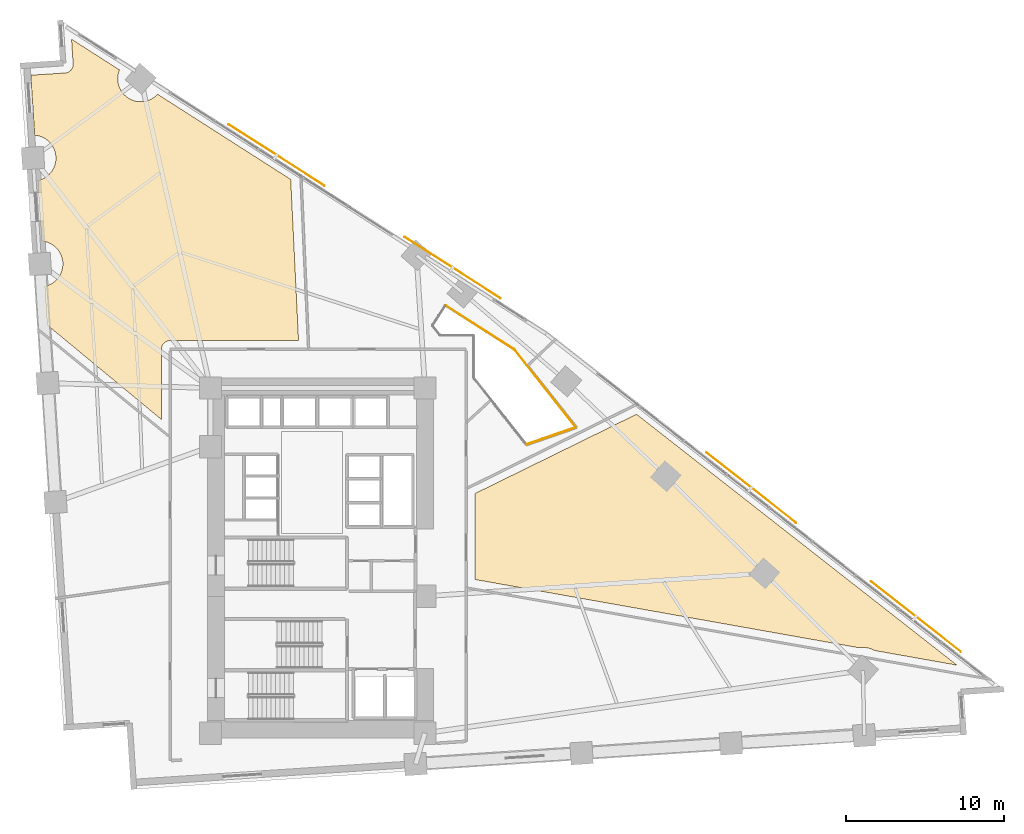
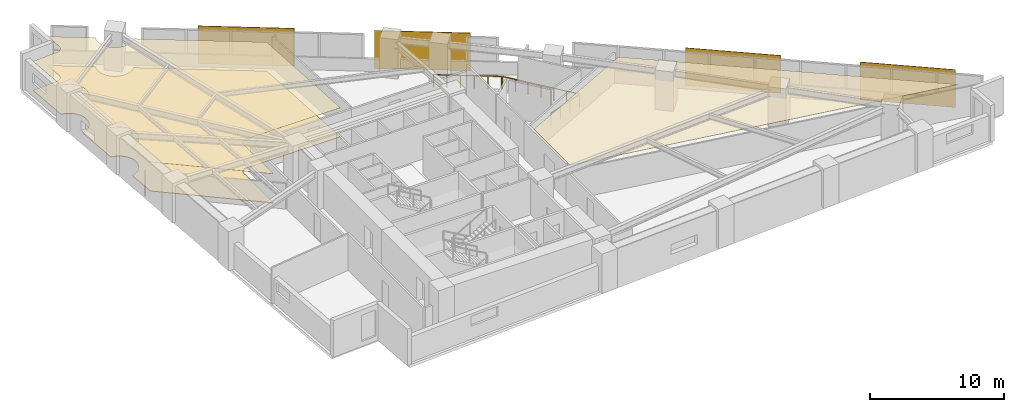
# One storey, part 15 of 15: 4 shading devices, 3 coverings, 3 railings.
"""IFC4 building model written with IfcOpenShell, lengths in metres."""

import ifcopenshell
import ifcopenshell.guid

model = None  # the IFC model being written
_history = None  # IfcOwnerHistory: only IFC2X3 demands one
_inside = {}  # id of a spatial element -> (the spatial element, [elements in it])
_under = {}  # id of a project, library or spatial element -> (it, [spatial elements below it])
_declared = {}  # id of a project -> (the project, [libraries it declares])
_typed = {}  # id of a type object -> (the type object, [elements of that type])
_made_of = {}  # id of a material, layer set ... -> (it, [elements and type objects made of it])


def new_model(schema):
    """Start an empty IFC model of exactly this schema.

    Asked for "IFC4X3", IfcOpenShell would pick the latest addendum, in which some entities
    have other attributes; the version numbers below select the first issue.
    IFC2X3 requires an IfcOwnerHistory on every rooted entity: one is made here for all.
    """
    global model, _history
    if schema == "IFC4X3":
        model = ifcopenshell.file(schema_version=(4, 3, 0, 0))
    else:
        model = ifcopenshell.file(schema=schema)
    _inside.clear()
    _under.clear()
    _declared.clear()
    _typed.clear()
    _made_of.clear()
    _history = None
    if model.schema == "IFC2X3":
        org = make("IfcOrganization", Name="unknown")
        user = make(
            "IfcPersonAndOrganization",
            ThePerson=make("IfcPerson", FamilyName="unknown"),
            TheOrganization=org,
        )
        app = make(
            "IfcApplication",
            ApplicationDeveloper=org,
            Version="unknown",
            ApplicationFullName="unknown",
            ApplicationIdentifier="unknown",
        )
        _history = make(
            "IfcOwnerHistory",
            OwningUser=user,
            OwningApplication=app,
            ChangeAction="ADDED",
            CreationDate=0,
        )
    return model


def make(cls, **values):
    """One entity of the class cls with the attributes given. An attribute that is None is left unset."""
    return model.create_entity(
        cls, **{name: value for name, value in values.items() if value is not None}
    )


def rooted(cls, **values):
    """An entity with a GlobalId (a new one), such as an element, a storey or a relation."""
    return make(cls, GlobalId=ifcopenshell.guid.new(), OwnerHistory=_history, **values)


def si_unit(unit_type, name, prefix=None):
    """IfcSIUnit, for example si_unit("LENGTHUNIT", "METRE", prefix="MILLI")."""
    return make("IfcSIUnit", UnitType=unit_type, Prefix=prefix, Name=name)


def assignment(units):
    """IfcUnitAssignment: the units of a project."""
    return None if units is None else make("IfcUnitAssignment", Units=units)


def point(xyz):
    """IfcCartesianPoint."""
    return None if xyz is None else make("IfcCartesianPoint", Coordinates=xyz)


def direction(xyz):
    """IfcDirection."""
    return None if xyz is None else make("IfcDirection", DirectionRatios=xyz)


def frame(location, z_axis=None, x_axis=None):
    """IfcAxis2Placement3D, a coordinate frame: its origin and axes. An axis left out is left unset."""
    return make(
        "IfcAxis2Placement3D",
        Location=point(location),
        Axis=direction(z_axis),
        RefDirection=direction(x_axis),
    )


def frame_2d(location, x_axis=None):
    """IfcAxis2Placement2D, a coordinate frame in the plane: its origin and x axis."""
    return make(
        "IfcAxis2Placement2D", Location=point(location), RefDirection=direction(x_axis)
    )


def origin():
    """The frame at (0, 0, 0) with its axes left unset."""
    return frame((0.0, 0.0, 0.0))


def origin_2d():
    """The frame at (0, 0) in the plane with its x axis left unset."""
    return frame_2d((0.0, 0.0))


def place(relative_to, where):
    """IfcLocalPlacement: puts the frame where relative to a parent placement (None: the world)."""
    return make(
        "IfcLocalPlacement", PlacementRelTo=relative_to, RelativePlacement=where
    )


def context(
    kind, dimensions, precision=None, world=None, true_north=None, identifier=None
):
    """IfcGeometricRepresentationContext, for example the 3D "Model" context."""
    return make(
        "IfcGeometricRepresentationContext",
        ContextIdentifier=identifier,
        ContextType=kind,
        CoordinateSpaceDimension=dimensions,
        Precision=precision,
        WorldCoordinateSystem=world,
        TrueNorth=true_north,
    )


def subcontext(parent, identifier, kind, view, scale=None):
    """IfcGeometricRepresentationSubContext, for example "Body" below "Model"."""
    return make(
        "IfcGeometricRepresentationSubContext",
        ContextIdentifier=identifier,
        ContextType=kind,
        ParentContext=parent,
        TargetScale=scale,
        TargetView=view,
    )


def project(units=None, contexts=None):
    """IfcProject with its units and contexts."""
    return rooted(
        "IfcProject",
        Name="project",
        RepresentationContexts=contexts,
        UnitsInContext=assignment(units),
    )


def spatial(cls, under=None, at=None, **own):
    """A site, building, storey or space (cls), placed at a placement, below another one or the project."""
    s = rooted(cls, ObjectPlacement=at, **own)
    if under is not None:
        _under.setdefault(under.id(), (under, []))[1].append(s)
    return s


def polyline(points):
    """IfcPolyline through the points."""
    return make("IfcPolyline", Points=[point(p) for p in points])


def profile(cls, at=None, kind="AREA", **sizes):
    """A parametric profile (cls). Its sizes go by their IFC names, for example OverallWidth=200.0."""
    return make(cls, ProfileType=kind, Position=at, **sizes)


def rectangle(**sizes):
    """IfcRectangleProfileDef."""
    return profile("IfcRectangleProfileDef", **sizes)


def circle(**sizes):
    """IfcCircleProfileDef."""
    return profile("IfcCircleProfileDef", **sizes)


def outline(outer, holes=None, kind="AREA"):
    """IfcArbitraryClosedProfileDef: a profile drawn as a closed curve; with holes, ...WithVoids."""
    if holes is None:
        return make("IfcArbitraryClosedProfileDef", ProfileType=kind, OuterCurve=outer)
    return make(
        "IfcArbitraryProfileDefWithVoids",
        ProfileType=kind,
        OuterCurve=outer,
        InnerCurves=holes,
    )


def extrude(swept, where, along, depth):
    """IfcExtrudedAreaSolid: the profile swept, set in the frame where, extruded along a direction by depth."""
    return make(
        "IfcExtrudedAreaSolid",
        SweptArea=swept,
        Position=where,
        ExtrudedDirection=direction(along),
        Depth=depth,
    )


def shape(context_of_items, identifier, shape_type, items):
    """IfcShapeRepresentation: the items that make up one representation, for example the "Body"."""
    return make(
        "IfcShapeRepresentation",
        ContextOfItems=context_of_items,
        RepresentationIdentifier=identifier,
        RepresentationType=shape_type,
        Items=items,
    )


def material(Name=None, Category=None):
    """IfcMaterial."""
    return make("IfcMaterial", Name=Name, Category=Category)


def layer(
    of_material, thickness, ventilated=None, Name=None, Category=None, Priority=None
):
    """IfcMaterialLayer: one layer of a wall or slab, of a material (None: an air gap)."""
    return make(
        "IfcMaterialLayer",
        Material=of_material,
        LayerThickness=thickness,
        IsVentilated=ventilated,
        Name=Name,
        Category=Category,
        Priority=Priority,
    )


def layer_set(layers, Name=None):
    """IfcMaterialLayerSet."""
    return make("IfcMaterialLayerSet", MaterialLayers=layers, LayerSetName=Name)


def made_of(thing, what):
    """Note that an element or type object is made of a material, layer set ...; save() writes the relation."""
    if what is not None:
        _made_of.setdefault(what.id(), (what, []))[1].append(thing)
    return thing


def type_object(cls, material=None, **own):
    """A type object (cls), such as IfcWallType, which elements share."""
    return made_of(rooted(cls, **own), material)


def element(
    cls,
    number,
    at=None,
    inside=None,
    cuts=None,
    type_object=None,
    material=None,
    context=None,
    identifier="Body",
    shape_type=None,
    held_by="IfcProductDefinitionShape",
    body=None,
    shapes=None,
    **own,
):
    """One element of the class cls, such as IfcWall. Its Tag is "e" and its number.

    at: its placement. inside: the storey or other place that contains it. cuts: it is an
    opening in that element (IfcRelVoidsElement). A single representation is given by context,
    identifier, shape_type and body (its items); several are given by shapes. held_by: the class
    of the entity that holds the representations. save() writes the other relations.
    """
    e = rooted(cls, Tag="e%d" % number, ObjectPlacement=at, **own)
    if body is not None:
        shapes = [shape(context, identifier, shape_type, body)]
    if shapes is not None:
        e.Representation = make(held_by, Representations=shapes)
    if inside is not None:
        _inside.setdefault(inside.id(), (inside, []))[1].append(e)
    if cuts is not None:
        rooted(
            "IfcRelVoidsElement", RelatingBuildingElement=cuts, RelatedOpeningElement=e
        )
    if type_object is not None:
        _typed.setdefault(type_object.id(), (type_object, []))[1].append(e)
    return made_of(e, material)


def aggregate(whole, parts):
    """IfcRelAggregates: a whole, such as a stair, and the parts it consists of."""
    return rooted("IfcRelAggregates", RelatingObject=whole, RelatedObjects=parts)


def save(model, path):
    """Write the relations noted so far, then the file.

    IfcRelAggregates (storeys below a building ...), IfcRelContainedInSpatialStructure (elements
    in a storey), IfcRelDefinesByType, IfcRelAssociatesMaterial and IfcRelDeclares: one each for
    every whole, place, type object, material and project.
    """
    for whole, parts in _under.values():
        aggregate(whole, parts)
    for where, things in _inside.values():
        rooted(
            "IfcRelContainedInSpatialStructure",
            RelatedElements=things,
            RelatingStructure=where,
        )
    for kind, things in _typed.values():
        rooted("IfcRelDefinesByType", RelatedObjects=things, RelatingType=kind)
    for what, things in _made_of.values():
        rooted("IfcRelAssociatesMaterial", RelatedObjects=things, RelatingMaterial=what)
    for by, libraries in _declared.values():
        rooted("IfcRelDeclares", RelatingContext=by, RelatedDefinitions=libraries)
    model.write(path)


model = new_model("IFC4")

# Units and contexts
model_context = context("Model", 3, precision=1e-05, world=origin(), true_north=direction((0.0, 1.0)))
body_context = subcontext(model_context, "Body", "Model", "MODEL_VIEW")
ifc_project = project(units=[si_unit("LENGTHUNIT", "METRE"), si_unit("AREAUNIT", "SQUARE_METRE"), si_unit("VOLUMEUNIT", "CUBIC_METRE"), si_unit("PLANEANGLEUNIT", "RADIAN"), si_unit("MASSUNIT", "GRAM", prefix="KILO")], contexts=[model_context])

# Site, building, storey
site_placement = place(None, origin())
site = spatial("IfcSite", under=ifc_project, at=site_placement, CompositionType="ELEMENT")
building_placement = place(site_placement, origin())
building = spatial("IfcBuilding", under=site, at=building_placement, Name="Narakoshi Arena Tower", CompositionType="ELEMENT")
storey_placement = place(building_placement, frame((0.0, 0.0, 74.10009765625)))
storey = spatial("IfcBuildingStorey", under=building, at=storey_placement, Name="L19", CompositionType="ELEMENT", Elevation=74.10009765625)

# Coverings
ifc_material_1 = material(Name="Acoustic mineral-fibre ceiling tile")
ifc_layer_1 = layer(ifc_material_1, 0.02001953125)
ifc_layer_set_1 = layer_set([ifc_layer_1], Name="Acoustic mineral-fibre ceiling tile")
covering_type_1 = type_object("IfcCoveringType", Name="COV-CLG-AC20", PredefinedType="CEILING", material=ifc_layer_set_1)
covering_1_placement = place(storey_placement, frame((0.0, 0.0, 2.669921875)))
element("IfcCovering", 1, at=covering_1_placement, inside=storey, type_object=covering_type_1, Name="L19 Suspended Acoustic Ceiling 1", PredefinedType="CEILING", context=body_context, shape_type="SweptSolid", body=[
    extrude(outline(polyline([(62.863037109375, 76.41552734375), (62.915771484375, 76.427001953125), (62.967041015625, 76.443603515625), (63.0166015625, 76.46484375), (63.063720703125, 76.4912109375), (63.108154296875, 76.52197265625), (63.1494140625, 76.556884765625), (63.18701171875, 76.595703125), (63.220458984375, 76.6376953125), (63.249755859375, 76.68310546875), (63.2744140625, 76.731201171875), (63.294189453125, 76.781494140625), (63.30908203125, 76.833251953125), (63.318603515625, 76.886474609375), (63.322998046875, 76.940185546875), (63.322265625, 76.994140625), (63.220703125, 78.541259765625), (66.252197265625, 76.602294921875), (66.250244140625, 76.598388671875), (66.202392578125, 76.46435546875), (66.167724609375, 76.326416015625), (66.14697265625, 76.185546875), (66.139892578125, 76.04345703125), (66.14697265625, 75.9013671875), (66.167724609375, 75.760498046875), (66.202392578125, 75.62255859375), (66.250244140625, 75.488525390625), (66.31103515625, 75.35986328125), (66.38427734375, 75.23779296875), (66.468994140625, 75.12353515625), (66.564697265625, 75.01806640625), (66.669921875, 74.922607421875), (66.7841796875, 74.837890625), (66.906494140625, 74.7646484375), (67.034912109375, 74.703857421875), (67.1689453125, 74.65576171875), (67.306884765625, 74.621337890625), (67.44775390625, 74.600341796875), (67.58984375, 74.593505859375), (67.73193359375, 74.600341796875), (67.872802734375, 74.621337890625), (68.0107421875, 74.65576171875), (68.144775390625, 74.703857421875), (68.2734375, 74.7646484375), (68.3955078125, 74.837890625), (68.509765625, 74.922607421875), (68.615234375, 75.01806640625), (68.656982421875, 75.064208984375), (77.068603515625, 69.683837890625), (77.562744140625, 59.5), (69.449951171875, 59.5), (69.39599609375, 59.497314453125), (69.3427734375, 59.489501953125), (69.290283203125, 59.476318359375), (69.239501953125, 59.4580078125), (69.190673828125, 59.43505859375), (69.144287109375, 59.4072265625), (69.10107421875, 59.375244140625), (69.06103515625, 59.3388671875), (69.02490234375, 59.298828125), (68.99267578125, 59.255615234375), (68.96484375, 59.209228515625), (68.94189453125, 59.160400390625), (68.923583984375, 59.109619140625), (68.91064453125, 59.057373046875), (68.902587890625, 59.00390625), (68.89990234375, 58.949951171875), (68.89990234375, 54.51708984375), (61.681884765625, 60.487060546875), (61.522216796875, 62.9248046875), (61.644775390625, 62.955322265625), (61.77880859375, 63.00341796875), (61.9072265625, 63.064208984375), (62.029296875, 63.137451171875), (62.143798828125, 63.22216796875), (62.2490234375, 63.317626953125), (62.3447265625, 63.423095703125), (62.429443359375, 63.537353515625), (62.502685546875, 63.659423828125), (62.5634765625, 63.7880859375), (62.611328125, 63.922119140625), (62.64599609375, 64.06005859375), (62.666748046875, 64.200927734375), (62.673828125, 64.343017578125), (62.666748046875, 64.485107421875), (62.64599609375, 64.6259765625), (62.611328125, 64.763916015625), (62.5634765625, 64.89794921875), (62.502685546875, 65.026611328125), (62.429443359375, 65.148681640625), (62.3447265625, 65.262939453125), (62.2490234375, 65.368408203125), (62.143798828125, 65.4638671875), (62.029296875, 65.548583984375), (61.9072265625, 65.621826171875), (61.77880859375, 65.6826171875), (61.644775390625, 65.730712890625), (61.506591796875, 65.76513671875), (61.365966796875, 65.785888671875), (61.334716796875, 65.78759765625), (61.083984375, 69.61279296875), (61.206298828125, 69.643310546875), (61.34033203125, 69.69140625), (61.468994140625, 69.752197265625), (61.591064453125, 69.8251953125), (61.705322265625, 69.909912109375), (61.810791015625, 70.005615234375), (61.90625, 70.111083984375), (61.990966796875, 70.225341796875), (62.064208984375, 70.347412109375), (62.125, 70.47607421875), (62.173095703125, 70.610107421875), (62.20751953125, 70.748046875), (62.228515625, 70.888916015625), (62.2353515625, 71.031005859375), (62.228515625, 71.173095703125), (62.20751953125, 71.313720703125), (62.173095703125, 71.451904296875), (62.125, 71.585693359375), (62.064208984375, 71.71435546875), (61.990966796875, 71.83642578125), (61.90625, 71.95068359375), (61.810791015625, 72.05615234375), (61.705322265625, 72.15185546875), (61.591064453125, 72.236572265625), (61.468994140625, 72.309814453125), (61.34033203125, 72.37060546875), (61.206298828125, 72.41845703125), (61.068359375, 72.452880859375), (60.927490234375, 72.473876953125), (60.896240234375, 72.4755859375), (60.647705078125, 76.267578125), (62.809326171875, 76.409423828125), (62.863037109375, 76.41552734375)])), origin(), (0.0, 0.0, 1.0), 0.02001953125),
])
ifc_material_2 = material(Name="Slatted oak acoustic timber baffle", Category="wood")
ifc_layer_2 = layer(ifc_material_2, 0.034912109375)
ifc_layer_set_2 = layer_set([ifc_layer_2], Name="Slatted oak acoustic timber baffle")
covering_type_2 = type_object("IfcCoveringType", Name="COV-CLG-WD35", PredefinedType="CEILING", material=ifc_layer_set_2)
covering_2_placement = place(storey_placement, frame((0.0, 0.0, 2.65478515625)))
element("IfcCovering", 2, at=covering_2_placement, inside=storey, type_object=covering_type_2, Name="L19 Suspended Acoustic Ceiling 2", PredefinedType="CEILING", context=body_context, shape_type="SweptSolid", body=[
    extrude(outline(polyline([(113.937744140625, 39.92529296875), (113.89990234375, 39.947998046875), (113.771240234375, 40.0087890625), (113.63720703125, 40.056884765625), (113.499267578125, 40.09130859375), (113.3583984375, 40.1123046875), (113.21630859375, 40.119384765625), (113.07421875, 40.1123046875), (112.9716796875, 40.09716796875), (88.699951171875, 44.4111328125), (88.699951171875, 49.834716796875), (98.91357421875, 54.84912109375), (119.161376953125, 38.996826171875), (113.937744140625, 39.92529296875)])), origin(), (0.0, 0.0, 1.0), 0.03515625),
])
ifc_material_3 = material(Name="Raised steel access floor panel", Category="steel")
ifc_layer_3 = layer(ifc_material_3, 0.044921875)
ifc_layer_set_3 = layer_set([ifc_layer_3], Name="Raised steel access floor panel")
covering_type_3 = type_object("IfcCoveringType", Name="COV-FLR-RF45", PredefinedType="FLOORING", material=ifc_layer_set_3)
covering_3_placement = place(storey_placement, origin())
element("IfcCovering", 3, at=covering_3_placement, inside=storey, type_object=covering_type_3, Name="L19 Raised Steel Access Floor", PredefinedType="FLOORING", context=body_context, shape_type="SweptSolid", body=[
    extrude(outline(polyline([(62.863037109375, 76.41552734375), (62.915771484375, 76.427001953125), (62.967041015625, 76.443603515625), (63.0166015625, 76.46484375), (63.063720703125, 76.4912109375), (63.108154296875, 76.52197265625), (63.1494140625, 76.556884765625), (63.18701171875, 76.595703125), (63.220458984375, 76.6376953125), (63.249755859375, 76.68310546875), (63.2744140625, 76.731201171875), (63.294189453125, 76.781494140625), (63.30908203125, 76.833251953125), (63.318603515625, 76.886474609375), (63.322998046875, 76.940185546875), (63.322265625, 76.994140625), (63.220703125, 78.541259765625), (66.252197265625, 76.602294921875), (66.250244140625, 76.598388671875), (66.202392578125, 76.46435546875), (66.167724609375, 76.326416015625), (66.14697265625, 76.185546875), (66.139892578125, 76.04345703125), (66.14697265625, 75.9013671875), (66.167724609375, 75.760498046875), (66.202392578125, 75.62255859375), (66.250244140625, 75.488525390625), (66.31103515625, 75.35986328125), (66.38427734375, 75.23779296875), (66.468994140625, 75.12353515625), (66.564697265625, 75.01806640625), (66.669921875, 74.922607421875), (66.7841796875, 74.837890625), (66.906494140625, 74.7646484375), (67.034912109375, 74.703857421875), (67.1689453125, 74.65576171875), (67.306884765625, 74.621337890625), (67.44775390625, 74.600341796875), (67.58984375, 74.593505859375), (67.73193359375, 74.600341796875), (67.872802734375, 74.621337890625), (68.0107421875, 74.65576171875), (68.144775390625, 74.703857421875), (68.2734375, 74.7646484375), (68.3955078125, 74.837890625), (68.509765625, 74.922607421875), (68.615234375, 75.01806640625), (68.656982421875, 75.064208984375), (77.068603515625, 69.683837890625), (77.562744140625, 59.5), (69.449951171875, 59.5), (69.39599609375, 59.497314453125), (69.3427734375, 59.489501953125), (69.290283203125, 59.476318359375), (69.239501953125, 59.4580078125), (69.190673828125, 59.43505859375), (69.144287109375, 59.4072265625), (69.10107421875, 59.375244140625), (69.06103515625, 59.3388671875), (69.02490234375, 59.298828125), (68.99267578125, 59.255615234375), (68.96484375, 59.209228515625), (68.94189453125, 59.160400390625), (68.923583984375, 59.109619140625), (68.91064453125, 59.057373046875), (68.902587890625, 59.00390625), (68.89990234375, 58.949951171875), (68.89990234375, 54.51708984375), (61.681884765625, 60.487060546875), (61.522216796875, 62.9248046875), (61.644775390625, 62.955322265625), (61.77880859375, 63.00341796875), (61.9072265625, 63.064208984375), (62.029296875, 63.137451171875), (62.143798828125, 63.22216796875), (62.2490234375, 63.317626953125), (62.3447265625, 63.423095703125), (62.429443359375, 63.537353515625), (62.502685546875, 63.659423828125), (62.5634765625, 63.7880859375), (62.611328125, 63.922119140625), (62.64599609375, 64.06005859375), (62.666748046875, 64.200927734375), (62.673828125, 64.343017578125), (62.666748046875, 64.485107421875), (62.64599609375, 64.6259765625), (62.611328125, 64.763916015625), (62.5634765625, 64.89794921875), (62.502685546875, 65.026611328125), (62.429443359375, 65.148681640625), (62.3447265625, 65.262939453125), (62.2490234375, 65.368408203125), (62.143798828125, 65.4638671875), (62.029296875, 65.548583984375), (61.9072265625, 65.621826171875), (61.77880859375, 65.6826171875), (61.644775390625, 65.730712890625), (61.506591796875, 65.76513671875), (61.365966796875, 65.785888671875), (61.334716796875, 65.78759765625), (61.083984375, 69.61279296875), (61.206298828125, 69.643310546875), (61.34033203125, 69.69140625), (61.468994140625, 69.752197265625), (61.591064453125, 69.8251953125), (61.705322265625, 69.909912109375), (61.810791015625, 70.005615234375), (61.90625, 70.111083984375), (61.990966796875, 70.225341796875), (62.064208984375, 70.347412109375), (62.125, 70.47607421875), (62.173095703125, 70.610107421875), (62.20751953125, 70.748046875), (62.228515625, 70.888916015625), (62.2353515625, 71.031005859375), (62.228515625, 71.173095703125), (62.20751953125, 71.313720703125), (62.173095703125, 71.451904296875), (62.125, 71.585693359375), (62.064208984375, 71.71435546875), (61.990966796875, 71.83642578125), (61.90625, 71.95068359375), (61.810791015625, 72.05615234375), (61.705322265625, 72.15185546875), (61.591064453125, 72.236572265625), (61.468994140625, 72.309814453125), (61.34033203125, 72.37060546875), (61.206298828125, 72.41845703125), (61.068359375, 72.452880859375), (60.927490234375, 72.473876953125), (60.896240234375, 72.4755859375), (60.647705078125, 76.267578125), (62.809326171875, 76.409423828125), (62.863037109375, 76.41552734375)])), origin(), (0.0, 0.0, 1.0), 0.044921875),
])

# Railings
ifc_material_4 = material(Name="Brushed bronze stainless steel", Category="steel")
railing_type = type_object("IfcRailingType", Name="RL-GRD-1150", PredefinedType="GUARDRAIL", material=ifc_material_4)
railing_1_placement = place(storey_placement, frame((86.86328125, 61.70947265625, 0.0)))
element("IfcRailing", 4, at=railing_1_placement, inside=storey, type_object=railing_type, Name="L19 Sky-Garden Atrium Void Guardrail 6", PredefinedType="GUARDRAIL", context=body_context, shape_type="SweptSolid", body=[
    extrude(circle(Radius=0.02392578125, at=origin_2d()), frame((0.0, 0.0, 1.1259765625), z_axis=(0.842416029942, -0.538827646374, 0.0), x_axis=(0.538827646374, 0.842416029942, 0.0)), (0.0, 0.0, 1.0), 5.11865234375),
    extrude(circle(Radius=0.02099609375, at=origin_2d()), origin(), (0.0, 0.0, 1.0), 1.101806640625),
    extrude(circle(Radius=0.02099609375, at=origin_2d()), frame((0.8623046875, -0.551513671875, 0.0)), (0.0, 0.0, 1.0), 1.101806640625),
    extrude(circle(Radius=0.02099609375, at=origin_2d()), frame((1.724853515625, -1.103271484375, 0.0)), (0.0, 0.0, 1.0), 1.101806640625),
    extrude(circle(Radius=0.02099609375, at=origin_2d()), frame((2.587158203125, -1.65478515625, 0.0)), (0.0, 0.0, 1.0), 1.101806640625),
    extrude(circle(Radius=0.02099609375, at=origin_2d()), frame((3.44970703125, -2.20654296875, 0.0)), (0.0, 0.0, 1.0), 1.101806640625),
    extrude(circle(Radius=0.02099609375, at=origin_2d()), frame((4.31201171875, -2.758056640625, 0.0)), (0.0, 0.0, 1.0), 1.101806640625),
])
railing_2_placement = place(storey_placement, frame((91.23388671875, 58.8984375, 0.0)))
element("IfcRailing", 5, at=railing_2_placement, inside=storey, type_object=railing_type, Name="L19 Sky-Garden Atrium Void Guardrail 7", PredefinedType="GUARDRAIL", context=body_context, shape_type="SweptSolid", body=[
    extrude(circle(Radius=0.02392578125, at=origin_2d()), frame((0.0, 0.0, 1.1259765625), z_axis=(0.620436799742, -0.784256448827, 0.0), x_axis=(0.784256448827, 0.620436799742, 0.0)), (0.0, 0.0, 1.0), 6.18017578125),
    extrude(circle(Radius=0.02099609375, at=origin_2d()), origin(), (0.0, 0.0, 1.0), 1.101806640625),
    extrude(circle(Radius=0.02099609375, at=origin_2d()), frame((0.63916015625, -0.807861328125, 0.0)), (0.0, 0.0, 1.0), 1.101806640625),
    extrude(circle(Radius=0.02099609375, at=origin_2d()), frame((1.278076171875, -1.61572265625, 0.0)), (0.0, 0.0, 1.0), 1.101806640625),
    extrude(circle(Radius=0.02099609375, at=origin_2d()), frame((1.917236328125, -2.42333984375, 0.0)), (0.0, 0.0, 1.0), 1.101806640625),
    extrude(circle(Radius=0.02099609375, at=origin_2d()), frame((2.556396484375, -3.231201171875, 0.0)), (0.0, 0.0, 1.0), 1.101806640625),
    extrude(circle(Radius=0.02099609375, at=origin_2d()), frame((3.1953125, -4.0390625, 0.0)), (0.0, 0.0, 1.0), 1.101806640625),
    extrude(circle(Radius=0.02099609375, at=origin_2d()), frame((3.83447265625, -4.846923828125, 0.0)), (0.0, 0.0, 1.0), 1.101806640625),
])
railing_3_placement = place(storey_placement, frame((95.055419921875, 54.0068359375, 0.0)))
element("IfcRailing", 6, at=railing_3_placement, inside=storey, type_object=railing_type, Name="L19 Sky-Garden Atrium Void Guardrail 8", PredefinedType="GUARDRAIL", context=body_context, shape_type="SweptSolid", body=[
    extrude(circle(Radius=0.02392578125, at=origin_2d()), frame((0.0, 0.0, 1.1259765625), z_axis=(-0.945026394516, -0.326994057543, 0.0), x_axis=(0.326994057543, -0.945026394516, 0.0)), (0.0, 0.0, 1.0), 3.23876953125),
    extrude(circle(Radius=0.02099609375, at=origin_2d()), origin(), (0.0, 0.0, 1.0), 1.101806640625),
    extrude(circle(Radius=0.02099609375, at=origin_2d()), frame((-1.020263671875, -0.35302734375, 0.0)), (0.0, 0.0, 1.0), 1.101806640625),
    extrude(circle(Radius=0.02099609375, at=origin_2d()), frame((-2.04052734375, -0.7060546875, 0.0)), (0.0, 0.0, 1.0), 1.101806640625),
    extrude(circle(Radius=0.02099609375, at=origin_2d()), frame((-3.060791015625, -1.05908203125, 0.0)), (0.0, 0.0, 1.0), 1.101806640625),
])

# Shading devices
ifc_material_5 = material(Name="Perforated bronze ceramic-metal composite")
ifc_layer_4 = layer(ifc_material_5, 0.044921875)
ifc_layer_set_4 = layer_set([ifc_layer_4], Name="Perforated bronze ceramic-metal composite")
shading_device_type = type_object("IfcShadingDeviceType", Name="SHD-SCR-BRZ1", PredefinedType="USERDEFINED", material=ifc_layer_set_4)
for number, where, z_axis, x_axis, name in (
    (7, (116.560546875, 42.06494140625, 0.0), (0.0, 0.0, 1.0), (-0.787387121413, 0.616458855912, 0.0), "L19 Perforated Bronze Solar Screen 1-1"),
    (8, (106.1669921875, 50.2021484375, 0.0), (0.0, 0.0, 1.0), (-0.787387121413, 0.616458855912, 0.0), "L19 Perforated Bronze Solar Screen 1-2"),
    (9, (87.29541015625, 64.10693359375, 0.0), (0.0, 0.0, 1.0), (-0.842414781658, 0.538829597966, 0.0), "L19 Perforated Bronze Solar Screen 2-1"),
    (10, (76.17529296875, 71.219482421875, 0.0), (0.0, 0.0, 1.0), (-0.842414781658, 0.538829597966, 0.0), "L19 Perforated Bronze Solar Screen 2-2"),
):
    element("IfcShadingDevice", number, at=place(storey_placement, frame(where, z_axis=z_axis, x_axis=x_axis)), inside=storey, type_object=shading_device_type, Name=name, ObjectType="SOLAR SCREEN", PredefinedType="USERDEFINED", context=body_context, shape_type="SweptSolid", body=[
        extrude(rectangle(XDim=7.199951171875, YDim=0.044921875, at=origin_2d()), origin(), (0.0, 0.0, 1.0), 3.449951171875),
    ])

save(model, "model.ifc")
